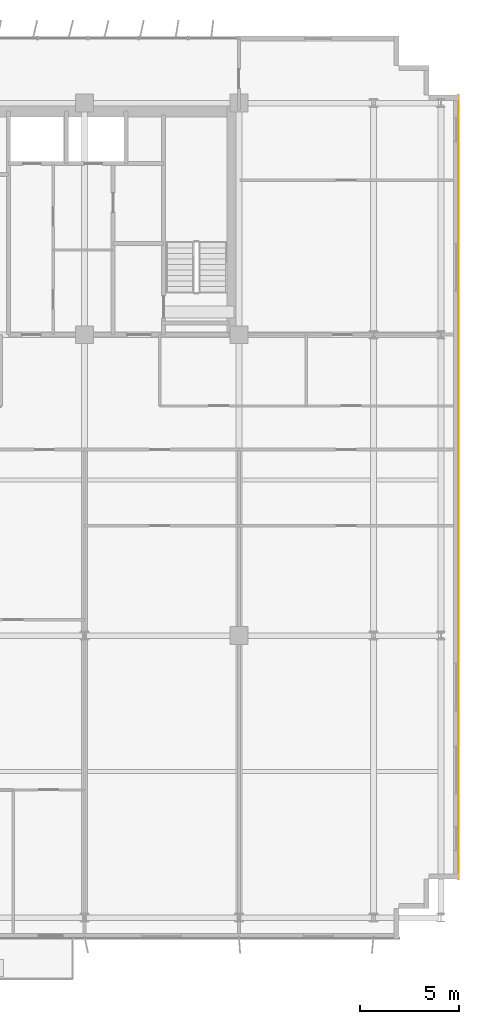
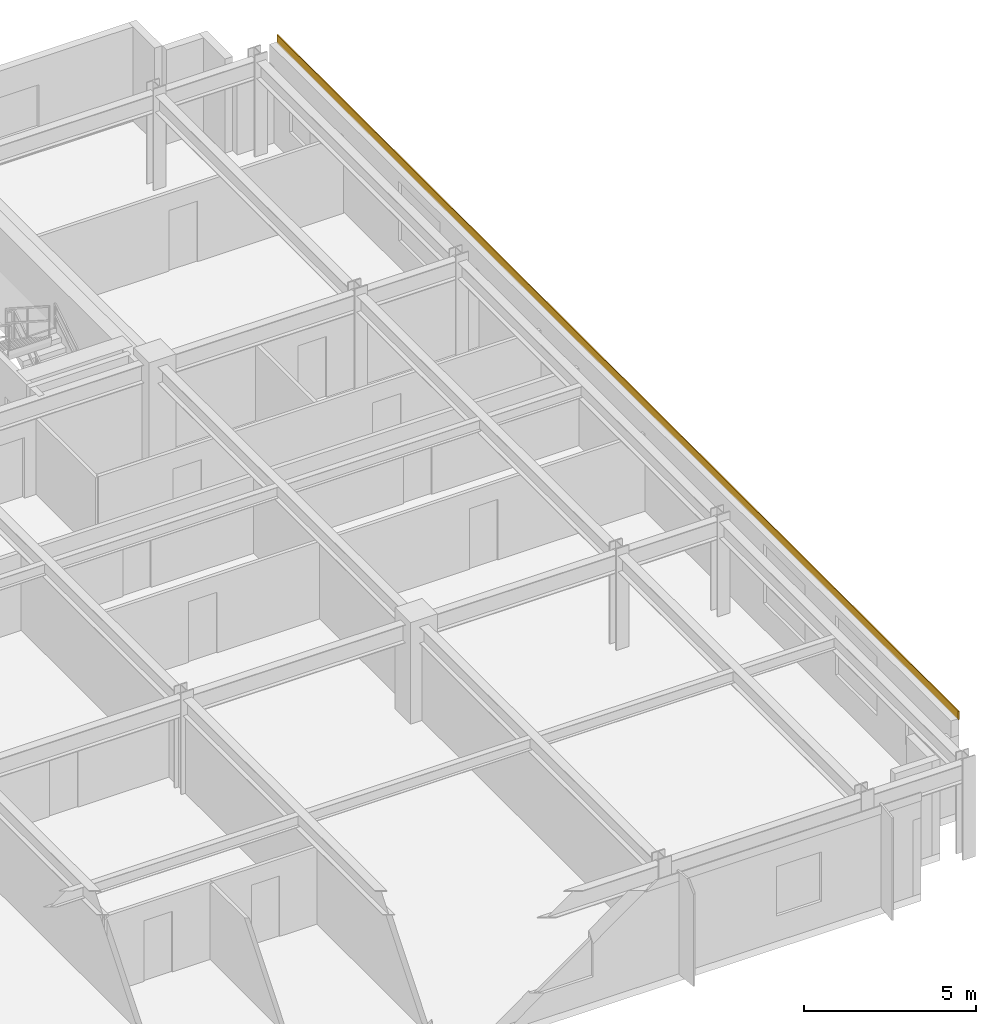
# One storey, part 25 of 25: 1 covering.
"""IFC4 building model written with IfcOpenShell, lengths in metres."""

import ifcopenshell
import ifcopenshell.guid

model = None  # the IFC model being written
_history = None  # IfcOwnerHistory: only IFC2X3 demands one
_inside = {}  # id of a spatial element -> (the spatial element, [elements in it])
_under = {}  # id of a project, library or spatial element -> (it, [spatial elements below it])
_declared = {}  # id of a project -> (the project, [libraries it declares])
_typed = {}  # id of a type object -> (the type object, [elements of that type])
_made_of = {}  # id of a material, layer set ... -> (it, [elements and type objects made of it])


def new_model(schema):
    """Start an empty IFC model of exactly this schema.

    Asked for "IFC4X3", IfcOpenShell would pick the latest addendum, in which some entities
    have other attributes; the version numbers below select the first issue.
    IFC2X3 requires an IfcOwnerHistory on every rooted entity: one is made here for all.
    """
    global model, _history
    if schema == "IFC4X3":
        model = ifcopenshell.file(schema_version=(4, 3, 0, 0))
    else:
        model = ifcopenshell.file(schema=schema)
    _inside.clear()
    _under.clear()
    _declared.clear()
    _typed.clear()
    _made_of.clear()
    _history = None
    if model.schema == "IFC2X3":
        org = make("IfcOrganization", Name="unknown")
        user = make(
            "IfcPersonAndOrganization",
            ThePerson=make("IfcPerson", FamilyName="unknown"),
            TheOrganization=org,
        )
        app = make(
            "IfcApplication",
            ApplicationDeveloper=org,
            Version="unknown",
            ApplicationFullName="unknown",
            ApplicationIdentifier="unknown",
        )
        _history = make(
            "IfcOwnerHistory",
            OwningUser=user,
            OwningApplication=app,
            ChangeAction="ADDED",
            CreationDate=0,
        )
    return model


def make(cls, **values):
    """One entity of the class cls with the attributes given. An attribute that is None is left unset."""
    return model.create_entity(
        cls, **{name: value for name, value in values.items() if value is not None}
    )


def rooted(cls, **values):
    """An entity with a GlobalId (a new one), such as an element, a storey or a relation."""
    return make(cls, GlobalId=ifcopenshell.guid.new(), OwnerHistory=_history, **values)


def si_unit(unit_type, name, prefix=None):
    """IfcSIUnit, for example si_unit("LENGTHUNIT", "METRE", prefix="MILLI")."""
    return make("IfcSIUnit", UnitType=unit_type, Prefix=prefix, Name=name)


def assignment(units):
    """IfcUnitAssignment: the units of a project."""
    return None if units is None else make("IfcUnitAssignment", Units=units)


def point(xyz):
    """IfcCartesianPoint."""
    return None if xyz is None else make("IfcCartesianPoint", Coordinates=xyz)


def direction(xyz):
    """IfcDirection."""
    return None if xyz is None else make("IfcDirection", DirectionRatios=xyz)


def frame(location, z_axis=None, x_axis=None):
    """IfcAxis2Placement3D, a coordinate frame: its origin and axes. An axis left out is left unset."""
    return make(
        "IfcAxis2Placement3D",
        Location=point(location),
        Axis=direction(z_axis),
        RefDirection=direction(x_axis),
    )


def frame_2d(location, x_axis=None):
    """IfcAxis2Placement2D, a coordinate frame in the plane: its origin and x axis."""
    return make(
        "IfcAxis2Placement2D", Location=point(location), RefDirection=direction(x_axis)
    )


def origin():
    """The frame at (0, 0, 0) with its axes left unset."""
    return frame((0.0, 0.0, 0.0))


def origin_2d():
    """The frame at (0, 0) in the plane with its x axis left unset."""
    return frame_2d((0.0, 0.0))


def place(relative_to, where):
    """IfcLocalPlacement: puts the frame where relative to a parent placement (None: the world)."""
    return make(
        "IfcLocalPlacement", PlacementRelTo=relative_to, RelativePlacement=where
    )


def context(
    kind, dimensions, precision=None, world=None, true_north=None, identifier=None
):
    """IfcGeometricRepresentationContext, for example the 3D "Model" context."""
    return make(
        "IfcGeometricRepresentationContext",
        ContextIdentifier=identifier,
        ContextType=kind,
        CoordinateSpaceDimension=dimensions,
        Precision=precision,
        WorldCoordinateSystem=world,
        TrueNorth=true_north,
    )


def subcontext(parent, identifier, kind, view, scale=None):
    """IfcGeometricRepresentationSubContext, for example "Body" below "Model"."""
    return make(
        "IfcGeometricRepresentationSubContext",
        ContextIdentifier=identifier,
        ContextType=kind,
        ParentContext=parent,
        TargetScale=scale,
        TargetView=view,
    )


def project(units=None, contexts=None):
    """IfcProject with its units and contexts."""
    return rooted(
        "IfcProject",
        Name="project",
        RepresentationContexts=contexts,
        UnitsInContext=assignment(units),
    )


def spatial(cls, under=None, at=None, **own):
    """A site, building, storey or space (cls), placed at a placement, below another one or the project."""
    s = rooted(cls, ObjectPlacement=at, **own)
    if under is not None:
        _under.setdefault(under.id(), (under, []))[1].append(s)
    return s


def profile(cls, at=None, kind="AREA", **sizes):
    """A parametric profile (cls). Its sizes go by their IFC names, for example OverallWidth=200.0."""
    return make(cls, ProfileType=kind, Position=at, **sizes)


def rectangle(**sizes):
    """IfcRectangleProfileDef."""
    return profile("IfcRectangleProfileDef", **sizes)


def extrude(swept, where, along, depth):
    """IfcExtrudedAreaSolid: the profile swept, set in the frame where, extruded along a direction by depth."""
    return make(
        "IfcExtrudedAreaSolid",
        SweptArea=swept,
        Position=where,
        ExtrudedDirection=direction(along),
        Depth=depth,
    )


def shape(context_of_items, identifier, shape_type, items):
    """IfcShapeRepresentation: the items that make up one representation, for example the "Body"."""
    return make(
        "IfcShapeRepresentation",
        ContextOfItems=context_of_items,
        RepresentationIdentifier=identifier,
        RepresentationType=shape_type,
        Items=items,
    )


def source(mapping_origin, context_of_items, identifier, shape_type, items):
    """IfcRepresentationMap: a shape defined once, which mapped items show again and again."""
    return make(
        "IfcRepresentationMap",
        MappingOrigin=mapping_origin,
        MappedRepresentation=shape(context_of_items, identifier, shape_type, items),
    )


def transform(
    local_origin,
    x_axis=None,
    y_axis=None,
    z_axis=None,
    scale=None,
    scale2=None,
    scale3=None,
    uniform=True,
):
    """IfcCartesianTransformationOperator3D, or its non-uniform kind. x_axis, y_axis, z_axis: its Axis1, 2, 3."""
    if uniform:
        return make(
            "IfcCartesianTransformationOperator3D",
            Axis1=direction(x_axis),
            Axis2=direction(y_axis),
            LocalOrigin=point(local_origin),
            Scale=scale,
            Axis3=direction(z_axis),
        )
    return make(
        "IfcCartesianTransformationOperator3DnonUniform",
        Axis1=direction(x_axis),
        Axis2=direction(y_axis),
        LocalOrigin=point(local_origin),
        Scale=scale,
        Axis3=direction(z_axis),
        Scale2=scale2,
        Scale3=scale3,
    )


def mapped(mapping_source, mapping_target):
    """IfcMappedItem: shows the shape of a source again, moved by a transform."""
    return make(
        "IfcMappedItem", MappingSource=mapping_source, MappingTarget=mapping_target
    )


def material(Name=None, Category=None):
    """IfcMaterial."""
    return make("IfcMaterial", Name=Name, Category=Category)


def layer(
    of_material, thickness, ventilated=None, Name=None, Category=None, Priority=None
):
    """IfcMaterialLayer: one layer of a wall or slab, of a material (None: an air gap)."""
    return make(
        "IfcMaterialLayer",
        Material=of_material,
        LayerThickness=thickness,
        IsVentilated=ventilated,
        Name=Name,
        Category=Category,
        Priority=Priority,
    )


def layer_set(layers, Name=None):
    """IfcMaterialLayerSet."""
    return make("IfcMaterialLayerSet", MaterialLayers=layers, LayerSetName=Name)


def made_of(thing, what):
    """Note that an element or type object is made of a material, layer set ...; save() writes the relation."""
    if what is not None:
        _made_of.setdefault(what.id(), (what, []))[1].append(thing)
    return thing


def type_object(cls, material=None, **own):
    """A type object (cls), such as IfcWallType, which elements share."""
    return made_of(rooted(cls, **own), material)


def element(
    cls,
    number,
    at=None,
    inside=None,
    cuts=None,
    type_object=None,
    material=None,
    context=None,
    identifier="Body",
    shape_type=None,
    held_by="IfcProductDefinitionShape",
    body=None,
    shapes=None,
    **own,
):
    """One element of the class cls, such as IfcWall. Its Tag is "e" and its number.

    at: its placement. inside: the storey or other place that contains it. cuts: it is an
    opening in that element (IfcRelVoidsElement). A single representation is given by context,
    identifier, shape_type and body (its items); several are given by shapes. held_by: the class
    of the entity that holds the representations. save() writes the other relations.
    """
    e = rooted(cls, Tag="e%d" % number, ObjectPlacement=at, **own)
    if body is not None:
        shapes = [shape(context, identifier, shape_type, body)]
    if shapes is not None:
        e.Representation = make(held_by, Representations=shapes)
    if inside is not None:
        _inside.setdefault(inside.id(), (inside, []))[1].append(e)
    if cuts is not None:
        rooted(
            "IfcRelVoidsElement", RelatingBuildingElement=cuts, RelatedOpeningElement=e
        )
    if type_object is not None:
        _typed.setdefault(type_object.id(), (type_object, []))[1].append(e)
    return made_of(e, material)


def aggregate(whole, parts):
    """IfcRelAggregates: a whole, such as a stair, and the parts it consists of."""
    return rooted("IfcRelAggregates", RelatingObject=whole, RelatedObjects=parts)


def save(model, path):
    """Write the relations noted so far, then the file.

    IfcRelAggregates (storeys below a building ...), IfcRelContainedInSpatialStructure (elements
    in a storey), IfcRelDefinesByType, IfcRelAssociatesMaterial and IfcRelDeclares: one each for
    every whole, place, type object, material and project.
    """
    for whole, parts in _under.values():
        aggregate(whole, parts)
    for where, things in _inside.values():
        rooted(
            "IfcRelContainedInSpatialStructure",
            RelatedElements=things,
            RelatingStructure=where,
        )
    for kind, things in _typed.values():
        rooted("IfcRelDefinesByType", RelatedObjects=things, RelatingType=kind)
    for what, things in _made_of.values():
        rooted("IfcRelAssociatesMaterial", RelatedObjects=things, RelatingMaterial=what)
    for by, libraries in _declared.values():
        rooted("IfcRelDeclares", RelatingContext=by, RelatedDefinitions=libraries)
    model.write(path)


model = new_model("IFC4")

# Units and contexts
model_context = context("Model", 3, precision=1e-05, world=origin(), true_north=direction((0.0, 1.0)))
body_context = subcontext(model_context, "Body", "Model", "MODEL_VIEW")
ifc_project = project(units=[si_unit("LENGTHUNIT", "METRE"), si_unit("AREAUNIT", "SQUARE_METRE"), si_unit("VOLUMEUNIT", "CUBIC_METRE"), si_unit("PLANEANGLEUNIT", "RADIAN"), si_unit("MASSUNIT", "GRAM", prefix="KILO")], contexts=[model_context])

# Site, building, storey
site_placement = place(None, origin())
site = spatial("IfcSite", under=ifc_project, at=site_placement, CompositionType="ELEMENT")
building_placement = place(site_placement, origin())
building = spatial("IfcBuilding", under=site, at=building_placement, Name="Trelvane Seafront Commons", CompositionType="ELEMENT")
storey_placement = place(building_placement, frame((0.0, 0.0, 66.699951171875)))
storey = spatial("IfcBuildingStorey", under=building, at=storey_placement, Name="L17", CompositionType="ELEMENT", Elevation=66.699951171875)

# Covering
ifc_material = material(Name="Anodised pale-silver aluminium", Category="aluminium")
ifc_layer = layer(ifc_material, 0.034912109375, Name="ARCH-COV-CLAD35")
ifc_layer_set = layer_set([ifc_layer], Name="Anodised pale-silver aluminium")
covering_type = type_object("IfcCoveringType", Name="ARCH-COV-CLAD35", PredefinedType="CLADDING", material=ifc_layer_set)
shared_shape = source(origin(), body_context, "Body", "SweptSolid", [
    extrude(rectangle(XDim=39.60009765625, YDim=0.034912109375, at=origin_2d()), origin(), (0.0, 0.0, 1.0), 0.300048828125),
])
covering_placement = place(storey_placement, frame((69.89990234375, 25.699951171875, 3.2998046875), z_axis=(0.0, 0.0, 1.0), x_axis=(0.0, -1.0, 0.0)))
element("IfcCovering", 1, at=covering_placement, inside=storey, type_object=covering_type, Name="CLD-L17-00080", PredefinedType="CLADDING", context=body_context, shape_type="MappedRepresentation", body=[
    mapped(shared_shape, transform((0.0, 0.0, 0.0), x_axis=(1.0, 0.0, 0.0), y_axis=(0.0, 1.0, 0.0), z_axis=(0.0, 0.0, 1.0), scale=1.0)),
])

save(model, "model.ifc")
